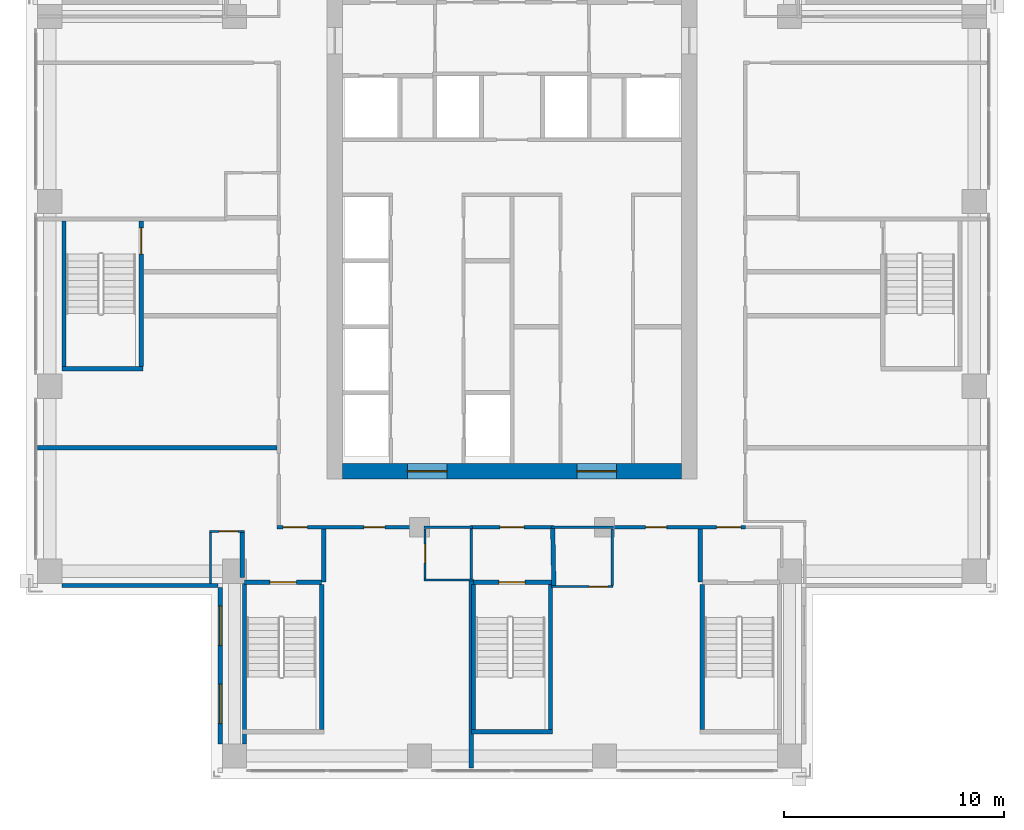
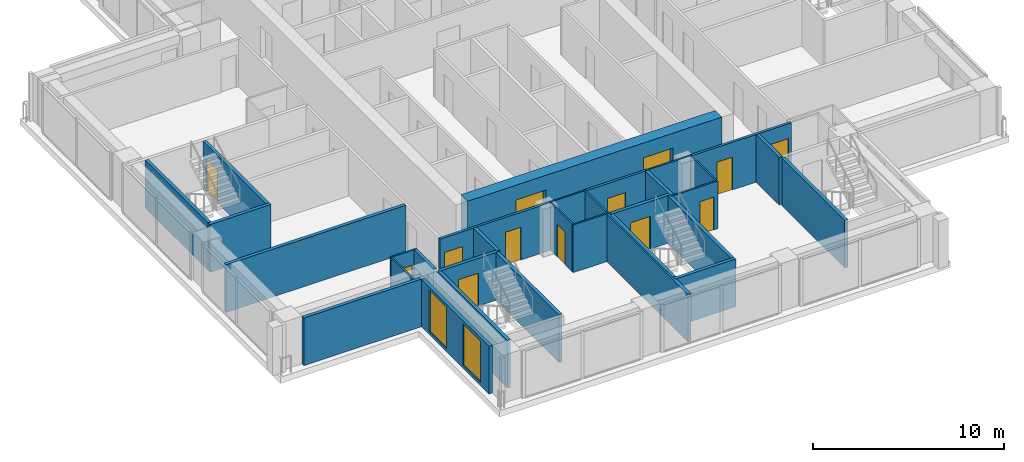
# One storey, part 9 of 16: 32 walls, 13 doors, 2 windows, 15 openings.
"""IFC4 building model written with IfcOpenShell, lengths in metres."""

from ifc_helpers import new_model, si_unit, direction, frame, frame_2d, origin, place, context, subcontext, project, spatial, rectangle, extrude, material, layer, layer_set, type_object, element, fill, save


model = new_model("IFC4")

# Units and contexts
model_context = context("Model", 3, precision=1e-05, world=origin(), true_north=direction((0.0, 1.0)))
body_context = subcontext(model_context, "Body", "Model", "MODEL_VIEW")
ifc_project = project(units=[si_unit("LENGTHUNIT", "METRE"), si_unit("AREAUNIT", "SQUARE_METRE"), si_unit("VOLUMEUNIT", "CUBIC_METRE"), si_unit("PLANEANGLEUNIT", "RADIAN"), si_unit("MASSUNIT", "GRAM", prefix="KILO")], contexts=[model_context])

# Site, building, storey
site_placement = place(None, origin())
site = spatial("IfcSite", under=ifc_project, at=site_placement, CompositionType="ELEMENT")
building_placement = place(site_placement, origin())
building = spatial("IfcBuilding", under=site, at=building_placement, Name="Vermilion Ogive Tower", CompositionType="ELEMENT")
storey_placement = place(building_placement, frame((0.0, 0.0, 140.0)))
storey = spatial("IfcBuildingStorey", under=building, at=storey_placement, Name="L35", CompositionType="ELEMENT", Elevation=140.0)

# Wall, openings, doors
ifc_material_1 = material(Name="Concrete B60", Category="concrete")
ifc_layer_1 = layer(ifc_material_1, 0.699951171875)
ifc_layer_set_1 = layer_set([ifc_layer_1], Name="Core wall 700 B60")
wall_type_1 = type_object("IfcWallType", Name="Core wall 700 B60", PredefinedType="SHEAR", material=ifc_layer_set_1)
wall_1_placement = place(storey_placement, frame((-7.699951171875, -8.050048828125, -0.39990234375), z_axis=(0.0, 0.0, 1.0), x_axis=(1.0, 0.0, 0.0)))
wall_1 = element("IfcWall", 1, at=wall_1_placement, inside=storey, type_object=wall_type_1, Name="L35-CORE-S", PredefinedType="SHEAR", context=body_context, shape_type="SweptSolid", body=[
    extrude(rectangle(XDim=15.39990234375, YDim=0.699951171875, at=frame_2d((7.699951171875, 0.0))), origin(), (0.0, 0.0, 1.0), 3.449951171875),
])
opening_1_placement = place(wall_1_placement, frame((2.949951171875, 0.0, 0.39990234375)))
opening_1 = element("IfcOpeningElement", 2, at=opening_1_placement, cuts=wall_1, Name="Opening DAH025", PredefinedType="OPENING", context=body_context, shape_type="SweptSolid", body=[
    extrude(rectangle(XDim=1.800048828125, YDim=2.10009765625, at=frame_2d((0.89990234375, 1.050048828125))), frame((0.0, 0.35986328125, 0.0), z_axis=(0.0, -1.0, 0.0), x_axis=(1.0, 0.0, 0.0)), (0.0, 0.0, 1.0), 0.719970703125),
])
opening_2_placement = place(wall_1_placement, frame((10.64990234375, 0.0, 0.39990234375)))
opening_2 = element("IfcOpeningElement", 3, at=opening_2_placement, cuts=wall_1, Name="Opening DAH026", PredefinedType="OPENING", context=body_context, shape_type="SweptSolid", body=[
    extrude(rectangle(XDim=1.800048828125, YDim=2.10009765625, at=frame_2d((0.89990234375, 1.050048828125))), frame((0.0, 0.35986328125, 0.0), z_axis=(0.0, -1.0, 0.0), x_axis=(1.0, 0.0, 0.0)), (0.0, 0.0, 1.0), 0.719970703125),
])
ifc_material_2 = material(Name="Timber door leaf", Category="wood")
door_type_1 = type_object("IfcDoorType", Name="Core entry door 1800 x 2100 FD60S", OperationType="DOUBLE_DOOR_SINGLE_SWING", PredefinedType="DOOR", material=ifc_material_2)
door_1_placement = place(opening_1_placement, origin())
door_1 = element("IfcDoor", 4, at=door_1_placement, inside=storey, type_object=door_type_1, Name="L35-CK-XD1", OperationType="SINGLE_SWING_LEFT", OverallHeight=2.10009765625, OverallWidth=1.800048828125, PredefinedType="DOOR", context=body_context, shape_type="SweptSolid", body=[
    extrude(rectangle(XDim=1.800048828125, YDim=2.10009765625, at=frame_2d((0.89990234375, 1.050048828125))), frame((0.0, 0.02490234375, 0.0), z_axis=(0.0, -1.0, 0.0), x_axis=(1.0, 0.0, 0.0)), (0.0, 0.0, 1.0), 0.050048828125),
])
fill(opening_1, door_1)
door_2_placement = place(opening_2_placement, origin())
door_2 = element("IfcDoor", 5, at=door_2_placement, inside=storey, type_object=door_type_1, Name="L35-CK-XD2", OperationType="SINGLE_SWING_LEFT", OverallHeight=2.10009765625, OverallWidth=1.800048828125, PredefinedType="DOOR", context=body_context, shape_type="SweptSolid", body=[
    extrude(rectangle(XDim=1.800048828125, YDim=2.10009765625, at=frame_2d((0.89990234375, 1.050048828125))), frame((0.0, 0.02490234375, 0.0), z_axis=(0.0, -1.0, 0.0), x_axis=(1.0, 0.0, 0.0)), (0.0, 0.0, 1.0), 0.050048828125),
])
fill(opening_2, door_2)

# Wall, opening, door
ifc_material_3 = material(Name="Gypsum board partition on steel studs", Category="steel")
ifc_layer_2 = layer(ifc_material_3, 0.10009765625)
ifc_layer_set_2 = layer_set([ifc_layer_2], Name="Partition 100 bath")
wall_type_2 = type_object("IfcWallType", Name="Partition 100 bath", PredefinedType="PARTITIONING", material=ifc_layer_set_2)
wall_2_placement = place(storey_placement, frame((1.802001953125, -13.300048828125, 0.0), z_axis=(0.0, 0.0, 1.0), x_axis=(1.0, 0.0, 0.0)))
wall_2 = element("IfcWall", 6, at=wall_2_placement, inside=storey, type_object=wall_type_2, Name="L35-W-W002", PredefinedType="PARTITIONING", context=body_context, shape_type="SweptSolid", body=[
    extrude(rectangle(XDim=2.7958984375, YDim=0.10009765625, at=frame_2d((1.39794921875, 0.0))), origin(), (0.0, 0.0, 1.0), 3.050048828125),
])
opening_3_placement = place(wall_2_placement, frame((1.697998046875, 0.0, 0.0)))
opening_3 = element("IfcOpeningElement", 7, at=opening_3_placement, cuts=wall_2, Name="Opening D3G1010", PredefinedType="OPENING", context=body_context, shape_type="SweptSolid", body=[
    extrude(rectangle(XDim=0.85009765625, YDim=2.10009765625, at=frame_2d((0.425048828125, 1.050048828125))), frame((0.0, 0.06005859375, 0.0), z_axis=(0.0, -1.0, 0.0), x_axis=(1.0, 0.0, 0.0)), (0.0, 0.0, 1.0), 0.1201171875),
])
ifc_material_4 = material(Name="Timber door leaf", Category="wood")
door_type_2 = type_object("IfcDoorType", Name="Bath door 850 x 2100 FD30", OperationType="SINGLE_SWING_LEFT", PredefinedType="DOOR", material=ifc_material_4)
door_3_placement = place(opening_3_placement, origin())
door_3 = element("IfcDoor", 8, at=door_3_placement, inside=storey, type_object=door_type_2, Name="L35-D-D010", OperationType="SINGLE_SWING_RIGHT", OverallHeight=2.10009765625, OverallWidth=0.85009765625, PredefinedType="DOOR", context=body_context, shape_type="SweptSolid", body=[
    extrude(rectangle(XDim=0.85009765625, YDim=2.10009765625, at=frame_2d((0.425048828125, 1.050048828125))), frame((0.0, 0.02490234375, 0.0), z_axis=(0.0, -1.0, 0.0), x_axis=(1.0, 0.0, 0.0)), (0.0, 0.0, 1.0), 0.050048828125),
])
fill(opening_3, door_3)

# Wall
wall_3_placement = place(storey_placement, frame((-4.0, -13.0, 0.0), z_axis=(0.0, 0.0, 1.0), x_axis=(1.0, 0.0, 0.0)))
element("IfcWall", 9, at=wall_3_placement, inside=storey, type_object=wall_type_2, Name="L35-W-W006", PredefinedType="PARTITIONING", context=body_context, shape_type="SweptSolid", body=[
    extrude(rectangle(XDim=2.25, YDim=0.10009765625, at=frame_2d((1.125, 0.0))), origin(), (0.0, 0.0, 1.0), 3.050048828125),
])

# Wall, opening, door
wall_4_placement = place(storey_placement, frame((-13.75, -10.7900390625, 0.0), z_axis=(0.0, 0.0, 1.0), x_axis=(1.0, 0.0, 0.0)))
wall_4 = element("IfcWall", 10, at=wall_4_placement, inside=storey, type_object=wall_type_2, Name="L35-W-W007", PredefinedType="PARTITIONING", context=body_context, shape_type="SweptSolid", body=[
    extrude(rectangle(XDim=1.60009765625, YDim=0.10009765625, at=frame_2d((0.800048828125, 0.0))), origin(), (0.0, 0.0, 1.0), 3.050048828125),
])
opening_4_placement = place(wall_4_placement, frame((0.449951171875, 0.0, 0.0)))
opening_4 = element("IfcOpeningElement", 11, at=opening_4_placement, cuts=wall_4, Name="Opening D3G1002", PredefinedType="OPENING", context=body_context, shape_type="SweptSolid", body=[
    extrude(rectangle(XDim=0.85009765625, YDim=2.10009765625, at=frame_2d((0.425048828125, 1.050048828125))), frame((0.0, 0.06005859375, 0.0), z_axis=(0.0, -1.0, 0.0), x_axis=(1.0, 0.0, 0.0)), (0.0, 0.0, 1.0), 0.1201171875),
])
door_4_placement = place(opening_4_placement, origin())
door_4 = element("IfcDoor", 12, at=door_4_placement, inside=storey, type_object=door_type_2, Name="L35-D-D002", OperationType="SINGLE_SWING_RIGHT", OverallHeight=2.10009765625, OverallWidth=0.85009765625, PredefinedType="DOOR", context=body_context, shape_type="SweptSolid", body=[
    extrude(rectangle(XDim=0.85009765625, YDim=2.10009765625, at=frame_2d((0.425048828125, 1.050048828125))), frame((0.0, 0.02490234375, 0.0), z_axis=(0.0, -1.0, 0.0), x_axis=(1.0, 0.0, 0.0)), (0.0, 0.0, 1.0), 0.050048828125),
])
fill(opening_4, door_4)

# Walls
wall_5_placement = place(storey_placement, frame((-4.0, -10.60009765625, 0.0), z_axis=(0.0, 0.0, 1.0), x_axis=(1.0, 0.0, 0.0)))
element("IfcWall", 13, at=wall_5_placement, inside=storey, type_object=wall_type_2, Name="L35-W-W009", PredefinedType="PARTITIONING", context=body_context, shape_type="SweptSolid", body=[
    extrude(rectangle(XDim=2.199951171875, YDim=0.10009765625, at=frame_2d((1.10009765625, 0.0))), origin(), (0.0, 0.0, 1.0), 3.050048828125),
])
wall_6_placement = place(storey_placement, frame((1.800048828125, -10.60009765625, 0.0), z_axis=(0.0, 0.0, 1.0), x_axis=(1.0, 0.0, 0.0)))
element("IfcWall", 14, at=wall_6_placement, inside=storey, type_object=wall_type_2, Name="L35-W-W011", PredefinedType="PARTITIONING", context=body_context, shape_type="SweptSolid", body=[
    extrude(rectangle(XDim=2.800048828125, YDim=0.10009765625, at=frame_2d((1.39990234375, 0.0))), origin(), (0.0, 0.0, 1.0), 3.050048828125),
])
wall_7_placement = place(storey_placement, frame((-13.699951171875, -13.14990234375, 0.0), z_axis=(0.0, 0.0, 1.0), x_axis=(0.0, 1.0, 0.0)))
element("IfcWall", 15, at=wall_7_placement, inside=storey, type_object=wall_type_2, Name="L35-W-W039", PredefinedType="PARTITIONING", context=body_context, shape_type="SweptSolid", body=[
    extrude(rectangle(XDim=2.309814453125, YDim=0.10009765625, at=frame_2d((1.15478515625, 0.0))), origin(), (0.0, 0.0, 1.0), 3.050048828125),
])

# Wall, opening, door
wall_8_placement = place(storey_placement, frame((-3.949951171875, -12.949951171875, 0.0), z_axis=(0.0, 0.0, 1.0), x_axis=(0.0, 1.0, 0.0)))
wall_8 = element("IfcWall", 16, at=wall_8_placement, inside=storey, type_object=wall_type_2, Name="L35-W-W050", PredefinedType="PARTITIONING", context=body_context, shape_type="SweptSolid", body=[
    extrude(rectangle(XDim=2.27490234375, YDim=0.10009765625, at=frame_2d((1.137451171875, 0.0))), origin(), (0.0, 0.0, 1.0), 3.050048828125),
])
opening_5_placement = place(wall_8_placement, frame((0.724853515625, 0.0, 0.0)))
opening_5 = element("IfcOpeningElement", 17, at=opening_5_placement, cuts=wall_8, Name="Opening D3G1008", PredefinedType="OPENING", context=body_context, shape_type="SweptSolid", body=[
    extrude(rectangle(XDim=0.85009765625, YDim=2.10009765625, at=frame_2d((0.425048828125, 1.050048828125))), frame((0.0, 0.06005859375, 0.0), z_axis=(0.0, -1.0, 0.0), x_axis=(1.0, 0.0, 0.0)), (0.0, 0.0, 1.0), 0.1201171875),
])
door_5_placement = place(opening_5_placement, origin())
door_5 = element("IfcDoor", 18, at=door_5_placement, inside=storey, type_object=door_type_2, Name="L35-D-D008", OperationType="SINGLE_SWING_RIGHT", OverallHeight=2.10009765625, OverallWidth=0.85009765625, PredefinedType="DOOR", context=body_context, shape_type="SweptSolid", body=[
    extrude(rectangle(XDim=0.85009765625, YDim=2.10009765625, at=frame_2d((0.425048828125, 1.050048828125))), frame((0.0, 0.02490234375, 0.0), z_axis=(0.0, -1.0, 0.0), x_axis=(1.0, 0.0, 0.0)), (0.0, 0.0, 1.0), 0.050048828125),
])
fill(opening_5, door_5)

# Walls
wall_9_placement = place(storey_placement, frame((-1.85009765625, -12.949951171875, 0.0), z_axis=(0.0, 0.0, 1.0), x_axis=(0.0, 1.0, 0.0)))
element("IfcWall", 19, at=wall_9_placement, inside=storey, type_object=wall_type_2, Name="L35-W-W052", PredefinedType="PARTITIONING", context=body_context, shape_type="SweptSolid", body=[
    extrude(rectangle(XDim=2.27490234375, YDim=0.10009765625, at=frame_2d((1.137451171875, 0.0))), origin(), (0.0, 0.0, 1.0), 3.050048828125),
])
wall_10_placement = place(storey_placement, frame((4.550048828125, -13.248046875, 0.0), z_axis=(0.0, 0.0, 1.0), x_axis=(0.0, 1.0, 0.0)))
element("IfcWall", 20, at=wall_10_placement, inside=storey, type_object=wall_type_2, Name="L35-W-W056", PredefinedType="PARTITIONING", context=body_context, shape_type="SweptSolid", body=[
    extrude(rectangle(XDim=2.572998046875, YDim=0.10009765625, at=frame_2d((1.28662109375, 0.0))), origin(), (0.0, 0.0, 1.0), 3.050048828125),
])

# Wall, openings, doors
ifc_material_5 = material(Name="Gypsum board partition on steel studs", Category="steel")
ifc_layer_3 = layer(ifc_material_5, 0.14990234375)
ifc_layer_set_3 = layer_set([ifc_layer_3], Name="Partition 150 corridor")
wall_type_3 = type_object("IfcWallType", Name="Partition 150 corridor", PredefinedType="PARTITIONING", material=ifc_layer_set_3)
wall_11_placement = place(storey_placement, frame((-10.675048828125, -10.60009765625, 0.0), z_axis=(0.0, 0.0, 1.0), x_axis=(1.0, 0.0, 0.0)))
wall_11 = element("IfcWall", 21, at=wall_11_placement, inside=storey, type_object=wall_type_3, Name="L35-W-W008", PredefinedType="PARTITIONING", context=body_context, shape_type="SweptSolid", body=[
    extrude(rectangle(XDim=6.775146484375, YDim=0.14990234375, at=frame_2d((3.3876953125, 0.0))), origin(), (0.0, 0.0, 1.0), 3.050048828125),
])
opening_6_placement = place(wall_11_placement, frame((3.949951171875, 0.0, 0.0)))
opening_6 = element("IfcOpeningElement", 22, at=opening_6_placement, cuts=wall_11, Name="Opening D3G1007", PredefinedType="OPENING", context=body_context, shape_type="SweptSolid", body=[
    extrude(rectangle(XDim=0.949951171875, YDim=2.10009765625, at=frame_2d((0.47509765625, 1.050048828125))), frame((0.0, 0.0849609375, 0.0), z_axis=(0.0, -1.0, 0.0), x_axis=(1.0, 0.0, 0.0)), (0.0, 0.0, 1.0), 0.169921875),
])
opening_7_placement = place(wall_11_placement, frame((0.275146484375, 0.0, 0.0)))
opening_7 = element("IfcOpeningElement", 23, at=opening_7_placement, cuts=wall_11, Name="Opening D3G1017", PredefinedType="OPENING", context=body_context, shape_type="SweptSolid", body=[
    extrude(rectangle(XDim=1.10009765625, YDim=2.10009765625, at=frame_2d((0.550048828125, 1.050048828125))), frame((0.0, 0.0849609375, 0.0), z_axis=(0.0, -1.0, 0.0), x_axis=(1.0, 0.0, 0.0)), (0.0, 0.0, 1.0), 0.169921875),
])
ifc_material_6 = material(Name="Timber door leaf", Category="wood")
door_type_3 = type_object("IfcDoorType", Name="Stair door 1100 x 2100 FD60S", OperationType="SINGLE_SWING_LEFT", PredefinedType="DOOR", material=ifc_material_6)
door_6_placement = place(opening_7_placement, origin())
door_6 = element("IfcDoor", 24, at=door_6_placement, inside=storey, type_object=door_type_3, Name="L35-D-D017", OperationType="SINGLE_SWING_RIGHT", OverallHeight=2.10009765625, OverallWidth=1.10009765625, PredefinedType="DOOR", context=body_context, shape_type="SweptSolid", body=[
    extrude(rectangle(XDim=1.10009765625, YDim=2.10009765625, at=frame_2d((0.550048828125, 1.050048828125))), frame((0.0, 0.02490234375, 0.0), z_axis=(0.0, -1.0, 0.0), x_axis=(1.0, 0.0, 0.0)), (0.0, 0.0, 1.0), 0.050048828125),
])
fill(opening_7, door_6)
ifc_material_7 = material(Name="Timber door leaf", Category="wood")
door_type_4 = type_object("IfcDoorType", Name="Unit door 950 x 2100 FD30S", OperationType="SINGLE_SWING_LEFT", PredefinedType="DOOR", material=ifc_material_7)
door_7_placement = place(opening_6_placement, origin())
door_7 = element("IfcDoor", 25, at=door_7_placement, inside=storey, type_object=door_type_4, Name="L35-D-D007", OperationType="SINGLE_SWING_RIGHT", OverallHeight=2.10009765625, OverallWidth=0.949951171875, PredefinedType="DOOR", context=body_context, shape_type="SweptSolid", body=[
    extrude(rectangle(XDim=0.949951171875, YDim=2.10009765625, at=frame_2d((0.47509765625, 1.050048828125))), frame((0.0, 0.02490234375, 0.0), z_axis=(0.0, -1.0, 0.0), x_axis=(1.0, 0.0, 0.0)), (0.0, 0.0, 1.0), 0.050048828125),
])
fill(opening_6, door_7)

# Wall, opening, door
wall_12_placement = place(storey_placement, frame((-1.89990234375, -10.60009765625, 0.0), z_axis=(0.0, 0.0, 1.0), x_axis=(1.0, 0.0, 0.0)))
wall_12 = element("IfcWall", 26, at=wall_12_placement, inside=storey, type_object=wall_type_3, Name="L35-W-W010", PredefinedType="PARTITIONING", context=body_context, shape_type="SweptSolid", body=[
    extrude(rectangle(XDim=3.7998046875, YDim=0.14990234375, at=frame_2d((1.89990234375, 0.0))), origin(), (0.0, 0.0, 1.0), 3.050048828125),
])
opening_8_placement = place(wall_12_placement, frame((1.349853515625, 0.0, 0.0)))
opening_8 = element("IfcOpeningElement", 27, at=opening_8_placement, cuts=wall_12, Name="Opening D3G1019", PredefinedType="OPENING", context=body_context, shape_type="SweptSolid", body=[
    extrude(rectangle(XDim=1.10009765625, YDim=2.10009765625, at=frame_2d((0.550048828125, 1.050048828125))), frame((0.0, 0.0849609375, 0.0), z_axis=(0.0, -1.0, 0.0), x_axis=(1.0, 0.0, 0.0)), (0.0, 0.0, 1.0), 0.169921875),
])
door_8_placement = place(opening_8_placement, origin())
door_8 = element("IfcDoor", 28, at=door_8_placement, inside=storey, type_object=door_type_3, Name="L35-D-D019", OperationType="SINGLE_SWING_RIGHT", OverallHeight=2.10009765625, OverallWidth=1.10009765625, PredefinedType="DOOR", context=body_context, shape_type="SweptSolid", body=[
    extrude(rectangle(XDim=1.10009765625, YDim=2.10009765625, at=frame_2d((0.550048828125, 1.050048828125))), frame((0.0, 0.02490234375, 0.0), z_axis=(0.0, -1.0, 0.0), x_axis=(1.0, 0.0, 0.0)), (0.0, 0.0, 1.0), 0.050048828125),
])
fill(opening_8, door_8)

# Wall, openings, doors
wall_13_placement = place(storey_placement, frame((4.5, -10.60009765625, 0.0), z_axis=(0.0, 0.0, 1.0), x_axis=(1.0, 0.0, 0.0)))
wall_13 = element("IfcWall", 29, at=wall_13_placement, inside=storey, type_object=wall_type_3, Name="L35-W-W012", PredefinedType="PARTITIONING", context=body_context, shape_type="SweptSolid", body=[
    extrude(rectangle(XDim=6.10009765625, YDim=0.14990234375, at=frame_2d((3.050048828125, 0.0))), origin(), (0.0, 0.0, 1.0), 3.050048828125),
])
opening_9_placement = place(wall_13_placement, frame((1.574951171875, 0.0, 0.0)))
opening_9 = element("IfcOpeningElement", 30, at=opening_9_placement, cuts=wall_13, Name="Opening D3G1009", PredefinedType="OPENING", context=body_context, shape_type="SweptSolid", body=[
    extrude(rectangle(XDim=0.949951171875, YDim=2.10009765625, at=frame_2d((0.47509765625, 1.050048828125))), frame((0.0, 0.0849609375, 0.0), z_axis=(0.0, -1.0, 0.0), x_axis=(1.0, 0.0, 0.0)), (0.0, 0.0, 1.0), 0.169921875),
])
opening_10_placement = place(wall_13_placement, frame((4.800048828125, 0.0, 0.0)))
opening_10 = element("IfcOpeningElement", 31, at=opening_10_placement, cuts=wall_13, Name="Opening D3G1021", PredefinedType="OPENING", context=body_context, shape_type="SweptSolid", body=[
    extrude(rectangle(XDim=1.10009765625, YDim=2.10009765625, at=frame_2d((0.550048828125, 1.050048828125))), frame((0.0, 0.0849609375, 0.0), z_axis=(0.0, -1.0, 0.0), x_axis=(1.0, 0.0, 0.0)), (0.0, 0.0, 1.0), 0.169921875),
])
door_9_placement = place(opening_10_placement, origin())
door_9 = element("IfcDoor", 32, at=door_9_placement, inside=storey, type_object=door_type_3, Name="L35-D-D021", OperationType="SINGLE_SWING_RIGHT", OverallHeight=2.10009765625, OverallWidth=1.10009765625, PredefinedType="DOOR", context=body_context, shape_type="SweptSolid", body=[
    extrude(rectangle(XDim=1.10009765625, YDim=2.10009765625, at=frame_2d((0.550048828125, 1.050048828125))), frame((0.0, 0.02490234375, 0.0), z_axis=(0.0, -1.0, 0.0), x_axis=(1.0, 0.0, 0.0)), (0.0, 0.0, 1.0), 0.050048828125),
])
fill(opening_10, door_9)
door_10_placement = place(opening_9_placement, origin())
door_10 = element("IfcDoor", 33, at=door_10_placement, inside=storey, type_object=door_type_4, Name="L35-D-D009", OperationType="SINGLE_SWING_LEFT", OverallHeight=2.10009765625, OverallWidth=0.949951171875, PredefinedType="DOOR", context=body_context, shape_type="SweptSolid", body=[
    extrude(rectangle(XDim=0.949951171875, YDim=2.10009765625, at=frame_2d((0.47509765625, 1.050048828125))), frame((0.0, 0.02490234375, 0.0), z_axis=(0.0, -1.0, 0.0), x_axis=(1.0, 0.0, 0.0)), (0.0, 0.0, 1.0), 0.050048828125),
])
fill(opening_9, door_10)

# Walls
ifc_material_8 = material(Name="Gypsum board partition on steel studs", Category="steel")
ifc_layer_4 = layer(ifc_material_8, 0.199951171875)
ifc_layer_set_4 = layer_set([ifc_layer_4], Name="Partition 200 party")
wall_type_4 = type_object("IfcWallType", Name="Partition 200 party", PredefinedType="PARTITIONING", material=ifc_layer_set_4)
wall_14_placement = place(storey_placement, frame((-21.550048828125, -7.0, 0.0), z_axis=(0.0, 0.0, 1.0), x_axis=(1.0, 0.0, 0.0)))
element("IfcWall", 34, at=wall_14_placement, inside=storey, type_object=wall_type_4, Name="L35-W-W015", PredefinedType="PARTITIONING", context=body_context, shape_type="SweptSolid", body=[
    extrude(rectangle(XDim=10.875, YDim=0.199951171875, at=frame_2d((5.4375, 0.0))), origin(), (0.0, 0.0, 1.0), 3.050048828125),
])
wall_15_placement = place(storey_placement, frame((-12.25, -12.889892578125, 0.0), z_axis=(0.0, 0.0, 1.0), x_axis=(0.0, 1.0, 0.0)))
element("IfcWall", 35, at=wall_15_placement, inside=storey, type_object=wall_type_4, Name="L35-W-W043", PredefinedType="PARTITIONING", context=body_context, shape_type="SweptSolid", body=[
    extrude(rectangle(XDim=2.0498046875, YDim=0.199951171875, at=frame_2d((1.02490234375, 0.0))), origin(), (0.0, 0.0, 1.0), 3.050048828125),
])
for number, where, z_axis, x_axis, name in (
    (36, (-8.550048828125, -13.10009765625, 0.0), (0.0, 0.0, 1.0), (0.0, 1.0, 0.0), "L35-W-W049"),
    (37, (8.550048828125, -13.10009765625, 0.0), (0.0, 0.0, 1.0), (0.0, 1.0, 0.0), "L35-W-W057"),
):
    element("IfcWall", number, at=place(storey_placement, frame(where, z_axis=z_axis, x_axis=x_axis)), inside=storey, type_object=wall_type_4, Name=name, PredefinedType="PARTITIONING", context=body_context, shape_type="SweptSolid", body=[
        extrude(rectangle(XDim=2.425048828125, YDim=0.199951171875, at=frame_2d((1.21240234375, 0.0))), origin(), (0.0, 0.0, 1.0), 3.050048828125),
    ])
ifc_material_9 = material(Name="Concrete B60", Category="concrete")
ifc_layer_5 = layer(ifc_material_9, 0.199951171875)
ifc_layer_set_5 = layer_set([ifc_layer_5], Name="Stair shaft wall 200 Concrete B60")
wall_type_5 = type_object("IfcWallType", Name="Stair shaft wall 200 Concrete B60", PredefinedType="SOLIDWALL", material=ifc_layer_set_5)
wall_16_placement = place(storey_placement, frame((-1.847900390625, -19.89990234375, 0.0), z_axis=(0.0, 0.0, 1.0), x_axis=(1.0, 0.0, 0.0)))
element("IfcWall", 38, at=wall_16_placement, inside=storey, type_object=wall_type_5, Name="L35-W-W001", PredefinedType="SOLIDWALL", context=body_context, shape_type="SweptSolid", body=[
    extrude(rectangle(XDim=3.69580078125, YDim=0.199951171875, at=frame_2d((1.847900390625, 0.0))), origin(), (0.0, 0.0, 1.0), 3.050048828125),
])

# Wall, opening, door
wall_17_placement = place(storey_placement, frame((-12.14990234375, -13.10009765625, 0.0), z_axis=(0.0, 0.0, 1.0), x_axis=(1.0, 0.0, 0.0)))
wall_17 = element("IfcWall", 39, at=wall_17_placement, inside=storey, type_object=wall_type_5, Name="L35-W-W003", PredefinedType="SOLIDWALL", context=body_context, shape_type="SweptSolid", body=[
    extrude(rectangle(XDim=3.5, YDim=0.199951171875, at=frame_2d((1.75, 0.0))), origin(), (0.0, 0.0, 1.0), 3.050048828125),
])
opening_11_placement = place(wall_17_placement, frame((1.14990234375, 0.0, 0.0)))
opening_11 = element("IfcOpeningElement", 40, at=opening_11_placement, cuts=wall_17, Name="Opening D3G1018", PredefinedType="OPENING", context=body_context, shape_type="SweptSolid", body=[
    extrude(rectangle(XDim=1.199951171875, YDim=2.10009765625, at=frame_2d((0.60009765625, 1.050048828125))), frame((0.0, 0.10986328125, 0.0), z_axis=(0.0, -1.0, 0.0), x_axis=(1.0, 0.0, 0.0)), (0.0, 0.0, 1.0), 0.219970703125),
])
ifc_material_10 = material(Name="Timber door leaf", Category="wood")
door_type_5 = type_object("IfcDoorType", Name="Stair door 1200 x 2100 FD60S", OperationType="SINGLE_SWING_LEFT", PredefinedType="DOOR", material=ifc_material_10)
door_11_placement = place(opening_11_placement, origin())
door_11 = element("IfcDoor", 41, at=door_11_placement, inside=storey, type_object=door_type_5, Name="L35-D-D018", OperationType="SINGLE_SWING_RIGHT", OverallHeight=2.10009765625, OverallWidth=1.199951171875, PredefinedType="DOOR", context=body_context, shape_type="SweptSolid", body=[
    extrude(rectangle(XDim=1.199951171875, YDim=2.10009765625, at=frame_2d((0.60009765625, 1.050048828125))), frame((0.0, 0.02490234375, 0.0), z_axis=(0.0, -1.0, 0.0), x_axis=(1.0, 0.0, 0.0)), (0.0, 0.0, 1.0), 0.050048828125),
])
fill(opening_11, door_11)

wall_18_placement = place(storey_placement, frame((-1.748046875, -13.10009765625, 0.0), z_axis=(0.0, 0.0, 1.0), x_axis=(1.0, 0.0, 0.0)))
wall_18 = element("IfcWall", 42, at=wall_18_placement, inside=storey, type_object=wall_type_5, Name="L35-W-W004", PredefinedType="SOLIDWALL", context=body_context, shape_type="SweptSolid", body=[
    extrude(rectangle(XDim=3.546142578125, YDim=0.199951171875, at=frame_2d((1.77294921875, 0.0))), origin(), (0.0, 0.0, 1.0), 3.050048828125),
])
opening_12_placement = place(wall_18_placement, frame((1.14794921875, 0.0, 0.0)))
opening_12 = element("IfcOpeningElement", 43, at=opening_12_placement, cuts=wall_18, Name="Opening D3G1020", PredefinedType="OPENING", context=body_context, shape_type="SweptSolid", body=[
    extrude(rectangle(XDim=1.199951171875, YDim=2.10009765625, at=frame_2d((0.60009765625, 1.050048828125))), frame((0.0, 0.10986328125, 0.0), z_axis=(0.0, -1.0, 0.0), x_axis=(1.0, 0.0, 0.0)), (0.0, 0.0, 1.0), 0.219970703125),
])
door_12_placement = place(opening_12_placement, origin())
door_12 = element("IfcDoor", 44, at=door_12_placement, inside=storey, type_object=door_type_5, Name="L35-D-D020", OperationType="SINGLE_SWING_RIGHT", OverallHeight=2.10009765625, OverallWidth=1.199951171875, PredefinedType="DOOR", context=body_context, shape_type="SweptSolid", body=[
    extrude(rectangle(XDim=1.199951171875, YDim=2.10009765625, at=frame_2d((0.60009765625, 1.050048828125))), frame((0.0, 0.02490234375, 0.0), z_axis=(0.0, -1.0, 0.0), x_axis=(1.0, 0.0, 0.0)), (0.0, 0.0, 1.0), 0.050048828125),
])
fill(opening_12, door_12)

# Walls
wall_19_placement = place(storey_placement, frame((-20.447998046875, -3.39990234375, 0.0), z_axis=(0.0, 0.0, 1.0), x_axis=(1.0, 0.0, 0.0)))
element("IfcWall", 45, at=wall_19_placement, inside=storey, type_object=wall_type_5, Name="L35-W-W017", PredefinedType="SOLIDWALL", context=body_context, shape_type="SweptSolid", body=[
    extrude(rectangle(XDim=3.696044921875, YDim=0.199951171875, at=frame_2d((1.84814453125, 0.0))), origin(), (0.0, 0.0, 1.0), 3.050048828125),
])
wall_20_placement = place(storey_placement, frame((-20.35009765625, -3.298095703125, 0.0), z_axis=(0.0, 0.0, 1.0), x_axis=(0.0, 1.0, 0.0)))
element("IfcWall", 46, at=wall_20_placement, inside=storey, type_object=wall_type_5, Name="L35-W-W037", PredefinedType="SOLIDWALL", context=body_context, shape_type="SweptSolid", body=[
    extrude(rectangle(XDim=6.59619140625, YDim=0.199951171875, at=frame_2d((3.298095703125, 0.0))), origin(), (0.0, 0.0, 1.0), 3.050048828125),
])

# Wall, opening, door
wall_21_placement = place(storey_placement, frame((-16.85009765625, -3.298095703125, 0.0), z_axis=(0.0, 0.0, 1.0), x_axis=(0.0, 1.0, 0.0)))
wall_21 = element("IfcWall", 47, at=wall_21_placement, inside=storey, type_object=wall_type_5, Name="L35-W-W038", PredefinedType="SOLIDWALL", context=body_context, shape_type="SweptSolid", body=[
    extrude(rectangle(XDim=6.59814453125, YDim=0.199951171875, at=frame_2d((3.299072265625, 0.0))), origin(), (0.0, 0.0, 1.0), 3.050048828125),
])
opening_13_placement = place(wall_21_placement, frame((5.10009765625, 0.0, 0.0)))
opening_13 = element("IfcOpeningElement", 48, at=opening_13_placement, cuts=wall_21, Name="Opening D3G1026", PredefinedType="OPENING", context=body_context, shape_type="SweptSolid", body=[
    extrude(rectangle(XDim=1.199951171875, YDim=2.10009765625, at=frame_2d((0.60009765625, 1.050048828125))), frame((0.0, 0.10986328125, 0.0), z_axis=(0.0, -1.0, 0.0), x_axis=(1.0, 0.0, 0.0)), (0.0, 0.0, 1.0), 0.219970703125),
])
door_13_placement = place(opening_13_placement, origin())
door_13 = element("IfcDoor", 49, at=door_13_placement, inside=storey, type_object=door_type_5, Name="L35-D-D026", OperationType="SINGLE_SWING_RIGHT", OverallHeight=2.10009765625, OverallWidth=1.199951171875, PredefinedType="DOOR", context=body_context, shape_type="SweptSolid", body=[
    extrude(rectangle(XDim=1.199951171875, YDim=2.10009765625, at=frame_2d((0.60009765625, 1.050048828125))), frame((0.0, 0.02490234375, 0.0), z_axis=(0.0, -1.0, 0.0), x_axis=(1.0, 0.0, 0.0)), (0.0, 0.0, 1.0), 0.050048828125),
])
fill(opening_13, door_13)

# Walls
for number, where, z_axis, x_axis, name in (
    (50, (-1.75, -19.798095703125, 0.0), (0.0, 0.0, 1.0), (0.0, 1.0, 0.0), "L35-W-W053"),
    (51, (1.75, -19.798095703125, 0.0), (0.0, 0.0, 1.0), (0.0, 1.0, 0.0), "L35-W-W054"),
):
    element("IfcWall", number, at=place(storey_placement, frame(where, z_axis=z_axis, x_axis=x_axis)), inside=storey, type_object=wall_type_5, Name=name, PredefinedType="SOLIDWALL", context=body_context, shape_type="SweptSolid", body=[
        extrude(rectangle(XDim=6.59619140625, YDim=0.199951171875, at=frame_2d((3.298095703125, 0.0))), origin(), (0.0, 0.0, 1.0), 3.050048828125),
    ])
wall_22_placement = place(storey_placement, frame((1.900146484375, -13.248046875, 0.0), z_axis=(0.0, 0.0, 1.0), x_axis=(-0.019076944695, 0.999818018532, 0.0)))
element("IfcWall", 52, at=wall_22_placement, inside=storey, type_object=wall_type_5, Name="L35-W-W055", PredefinedType="SOLIDWALL", context=body_context, shape_type="SweptSolid", body=[
    extrude(rectangle(XDim=2.62353515625, YDim=0.199951171875, at=frame_2d((1.311767578125, 0.0))), origin(), (0.0, 0.0, 1.0), 3.050048828125),
])
for number, where, z_axis, x_axis, name in (
    (53, (-8.64990234375, -19.800048828125, 0.0), (0.0, 0.0, 1.0), (0.0, 1.0, 0.0), "L35-SW-ST3-E1"),
    (54, (8.64990234375, -19.800048828125, 0.0), (0.0, 0.0, 1.0), (0.0, 1.0, 0.0), "L35-SW-ST5-W1"),
):
    element("IfcWall", number, at=place(storey_placement, frame(where, z_axis=z_axis, x_axis=x_axis)), inside=storey, type_object=wall_type_5, Name=name, PredefinedType="SOLIDWALL", context=body_context, shape_type="SweptSolid", body=[
        extrude(rectangle(XDim=6.60009765625, YDim=0.199951171875, at=frame_2d((3.300048828125, 0.0))), origin(), (0.0, 0.0, 1.0), 3.050048828125),
    ])
wall_23_placement = place(storey_placement, frame((-12.14990234375, -20.449951171875, 0.0), z_axis=(0.0, 0.0, 1.0), x_axis=(0.0, 1.0, 0.0)))
element("IfcWall", 55, at=wall_23_placement, inside=storey, type_object=wall_type_5, Name="L35-SW-ST3-W1-A", PredefinedType="SOLIDWALL", context=body_context, shape_type="SweptSolid", body=[
    extrude(rectangle(XDim=7.300048828125, YDim=0.199951171875, at=frame_2d((3.64990234375, 0.0))), origin(), (0.0, 0.0, 1.0), 3.050048828125),
])
wall_24_placement = place(storey_placement, frame((-1.85009765625, -21.550048828125, 0.0), z_axis=(0.0, 0.0, 1.0), x_axis=(0.0, 1.0, 0.0)))
element("IfcWall", 56, at=wall_24_placement, inside=storey, type_object=wall_type_5, Name="L35-W-W051-A", PredefinedType="SOLIDWALL", context=body_context, shape_type="SweptSolid", body=[
    extrude(rectangle(XDim=8.5, YDim=0.199951171875, at=frame_2d((4.25, 0.0))), origin(), (0.0, 0.0, 1.0), 3.050048828125),
])
ifc_material_11 = material(Name="Aluminium window wall framing", Category="aluminium")
ifc_layer_6 = layer(ifc_material_11, 0.199951171875)
ifc_layer_set_6 = layer_set([ifc_layer_6], Name="Window wall")
wall_type_6 = type_object("IfcWallType", Name="Window wall", PredefinedType="STANDARD", material=ifc_layer_set_6)
wall_25_placement = place(storey_placement, frame((-20.449951171875, -13.25, 0.0), z_axis=(0.0, 0.0, 1.0), x_axis=(1.0, 0.0, 0.0)))
element("IfcWall", 57, at=wall_25_placement, inside=storey, type_object=wall_type_6, Name="Window wall X71", PredefinedType="STANDARD", context=body_context, shape_type="SweptSolid", body=[
    extrude(rectangle(XDim=7.099853515625, YDim=0.199951171875, at=frame_2d((3.5498046875, 0.0))), origin(), (0.0, 0.0, 1.0), 3.050048828125),
])

# Wall, openings, windows
wall_26_placement = place(storey_placement, frame((-13.25, -13.35009765625, 0.0), z_axis=(0.0, 0.0, 1.0), x_axis=(0.0, -1.0, 0.0)))
wall_26 = element("IfcWall", 58, at=wall_26_placement, inside=storey, type_object=wall_type_6, Name="Window wall X81", PredefinedType="STANDARD", context=body_context, shape_type="SweptSolid", body=[
    extrude(rectangle(XDim=7.099853515625, YDim=0.199951171875, at=frame_2d((3.5498046875, 0.0))), origin(), (0.0, 0.0, 1.0), 3.050048828125),
])
opening_14_placement = place(wall_26_placement, frame((4.375, 0.0, 0.199951171875)))
opening_14 = element("IfcOpeningElement", 59, at=opening_14_placement, cuts=wall_26, Name="Opening W1-X895", PredefinedType="OPENING", context=body_context, shape_type="SweptSolid", body=[
    extrude(rectangle(XDim=1.800048828125, YDim=2.64990234375, at=frame_2d((0.89990234375, 1.324951171875))), frame((0.0, 0.10986328125, 0.0), z_axis=(0.0, -1.0, 0.0), x_axis=(1.0, 0.0, 0.0)), (0.0, 0.0, 1.0), 0.219970703125),
])
opening_15_placement = place(wall_26_placement, frame((0.824951171875, 0.0, 0.199951171875)))
opening_15 = element("IfcOpeningElement", 60, at=opening_15_placement, cuts=wall_26, Name="Opening W1-X896", PredefinedType="OPENING", context=body_context, shape_type="SweptSolid", body=[
    extrude(rectangle(XDim=1.800048828125, YDim=2.64990234375, at=frame_2d((0.89990234375, 1.324951171875))), frame((0.0, 0.10986328125, 0.0), z_axis=(0.0, -1.0, 0.0), x_axis=(1.0, 0.0, 0.0)), (0.0, 0.0, 1.0), 0.219970703125),
])
ifc_material_12 = material(Name="Aluminium framed double glazing", Category="aluminium")
window_type = type_object("IfcWindowType", Name="Guest window W1", PartitioningType="SINGLE_PANEL", PredefinedType="WINDOW", material=ifc_material_12)
window_1_placement = place(opening_14_placement, origin())
window_1 = element("IfcWindow", 61, at=window_1_placement, inside=storey, type_object=window_type, Name="Window X895", OverallHeight=2.64990234375, OverallWidth=1.800048828125, PartitioningType="SINGLE_PANEL", PredefinedType="WINDOW", context=body_context, shape_type="SweptSolid", body=[
    extrude(rectangle(XDim=1.800048828125, YDim=2.64990234375, at=frame_2d((0.89990234375, 1.324951171875))), frame((0.0, 0.030029296875, 0.0), z_axis=(0.0, -1.0, 0.0), x_axis=(1.0, 0.0, 0.0)), (0.0, 0.0, 1.0), 0.06005859375),
])
fill(opening_14, window_1)
window_2_placement = place(opening_15_placement, origin())
window_2 = element("IfcWindow", 62, at=window_2_placement, inside=storey, type_object=window_type, Name="Window X896", OverallHeight=2.64990234375, OverallWidth=1.800048828125, PartitioningType="SINGLE_PANEL", PredefinedType="WINDOW", context=body_context, shape_type="SweptSolid", body=[
    extrude(rectangle(XDim=1.800048828125, YDim=2.64990234375, at=frame_2d((0.89990234375, 1.324951171875))), frame((0.0, 0.030029296875, 0.0), z_axis=(0.0, -1.0, 0.0), x_axis=(1.0, 0.0, 0.0)), (0.0, 0.0, 1.0), 0.06005859375),
])
fill(opening_15, window_2)

save(model, "model.ifc")
